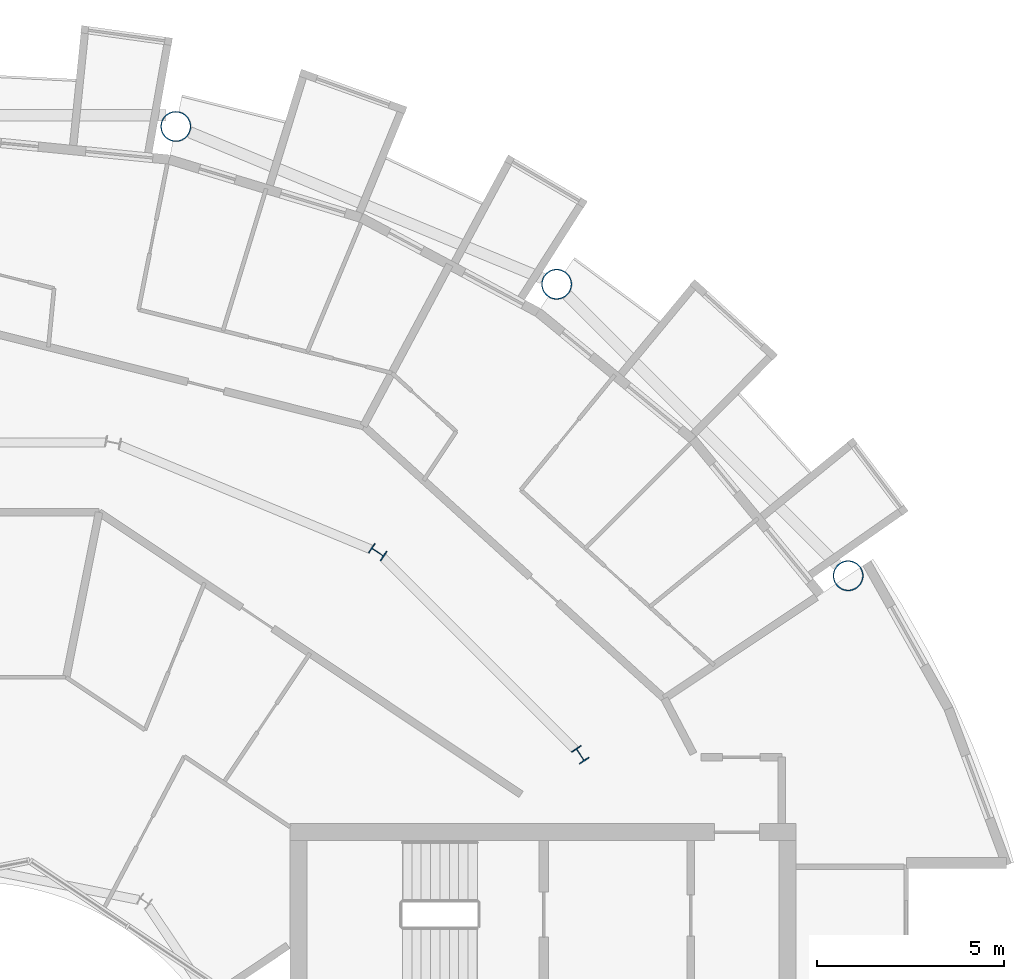
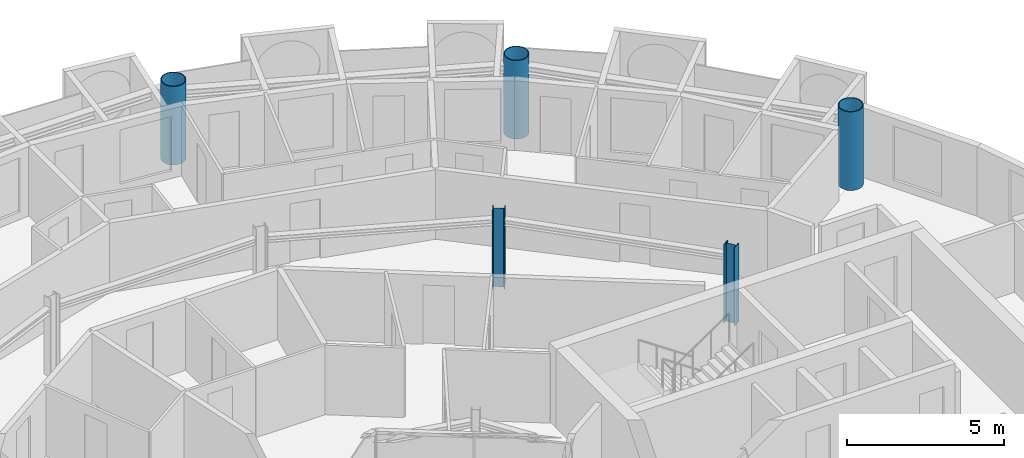
# One storey, part 5 of 27: 5 columns.
"""IFC4 building model written with IfcOpenShell, lengths in metres."""

from ifc_helpers import new_model, si_unit, direction, frame, origin, origin_2d, place, context, subcontext, project, spatial, hollow_circle, i_section, extrude, material, material_profile, profile_set, type_object, element, save


model = new_model("IFC4")

# Units and contexts
model_context = context("Model", 3, precision=1e-05, world=origin(), true_north=direction((0.0, 1.0)))
body_context = subcontext(model_context, "Body", "Model", "MODEL_VIEW")
ifc_project = project(units=[si_unit("LENGTHUNIT", "METRE"), si_unit("AREAUNIT", "SQUARE_METRE"), si_unit("VOLUMEUNIT", "CUBIC_METRE"), si_unit("PLANEANGLEUNIT", "RADIAN"), si_unit("MASSUNIT", "GRAM", prefix="KILO")], contexts=[model_context])

# Site, building, storey
site_placement = place(None, origin())
site = spatial("IfcSite", under=ifc_project, at=site_placement, CompositionType="ELEMENT")
building_placement = place(site_placement, origin())
building = spatial("IfcBuilding", under=site, at=building_placement, Name="Maasbend Ring Residences", CompositionType="ELEMENT")
storey_placement = place(building_placement, frame((0.0, 0.0, 199.35009765625)))
storey = spatial("IfcBuildingStorey", under=building, at=storey_placement, Name="L57", CompositionType="ELEMENT", Elevation=199.35009765625)

# Columns
ifc_material_1 = material(Name="Composite concrete-filled steel tube S460NH / C80/95", Category="concrete")
ifc_material_profile_1 = material_profile(ifc_material_1, hollow_circle(Radius=0.406494140625, WallThickness=0.030029296875, at=origin_2d()), Name="Composite tube column CHS 813x30")
ifc_profile_set_1 = profile_set([ifc_material_profile_1], Name="Composite concrete-filled steel tube S460NH / C80/95")
column_type_1 = type_object("IfcColumnType", Name="Composite tube column CHS 813x30", PredefinedType="COLUMN", material=ifc_profile_set_1)
for number, where, z_axis, x_axis, name in (
    (1, (23.447509765625, 15.6669921875, 0.0), (0.0, 0.0, 1.0), (1.0, 0.0, 0.0), "Outer column R2"),
    (2, (15.6669921875, 23.447509765625, 0.0), (0.0, 0.0, 1.0), (1.0, 0.0, 0.0), "Outer column R3"),
    (3, (5.50146484375, 27.658203125, 0.0), (0.0, 0.0, 1.0), (1.0, 0.0, 0.0), "Outer column R4"),
):
    element("IfcColumn", number, at=place(storey_placement, frame(where, z_axis=z_axis, x_axis=x_axis)), inside=storey, type_object=column_type_1, Name=name, PredefinedType="COLUMN", context=body_context, shape_type="SweptSolid", body=[
        extrude(hollow_circle(Radius=0.406494140625, WallThickness=0.030029296875, at=origin_2d()), origin(), (0.0, 0.0, 1.0), 3.0498046875),
    ])
ifc_material_2 = material(Name="Steel S355J2", Category="steel")
ifc_material_profile_2 = material_profile(ifc_material_2, i_section(OverallWidth=0.300048828125, OverallDepth=0.39990234375, WebThickness=0.013427734375, FlangeThickness=0.02392578125, FilletRadius=0.027099609375, at=origin_2d()), Name="HEB 400")
ifc_profile_set_2 = profile_set([ifc_material_profile_2], Name="Steel S355J2")
column_type_2 = type_object("IfcColumnType", Name="Steel column HEB 400", PredefinedType="COLUMN", material=ifc_profile_set_2)
for number, where, z_axis, x_axis, name in (
    (4, (16.296875, 10.88916015625, 0.0), (0.0, 0.0, 1.0), (0.831469612303, 0.55557023302, 0.0), "Corridor ring column R2"),
    (5, (10.88916015625, 16.296875, 0.0), (0.0, 0.0, 1.0), (0.55557023302, 0.831469612303, 0.0), "Corridor ring column R3"),
):
    element("IfcColumn", number, at=place(storey_placement, frame(where, z_axis=z_axis, x_axis=x_axis)), inside=storey, type_object=column_type_2, Name=name, PredefinedType="COLUMN", context=body_context, shape_type="SweptSolid", body=[
        extrude(i_section(OverallWidth=0.300048828125, OverallDepth=0.39990234375, WebThickness=0.013427734375, FlangeThickness=0.02392578125, FilletRadius=0.027099609375, at=origin_2d()), origin(), (0.0, 0.0, 1.0), 3.0498046875),
    ])

save(model, "model.ifc")
